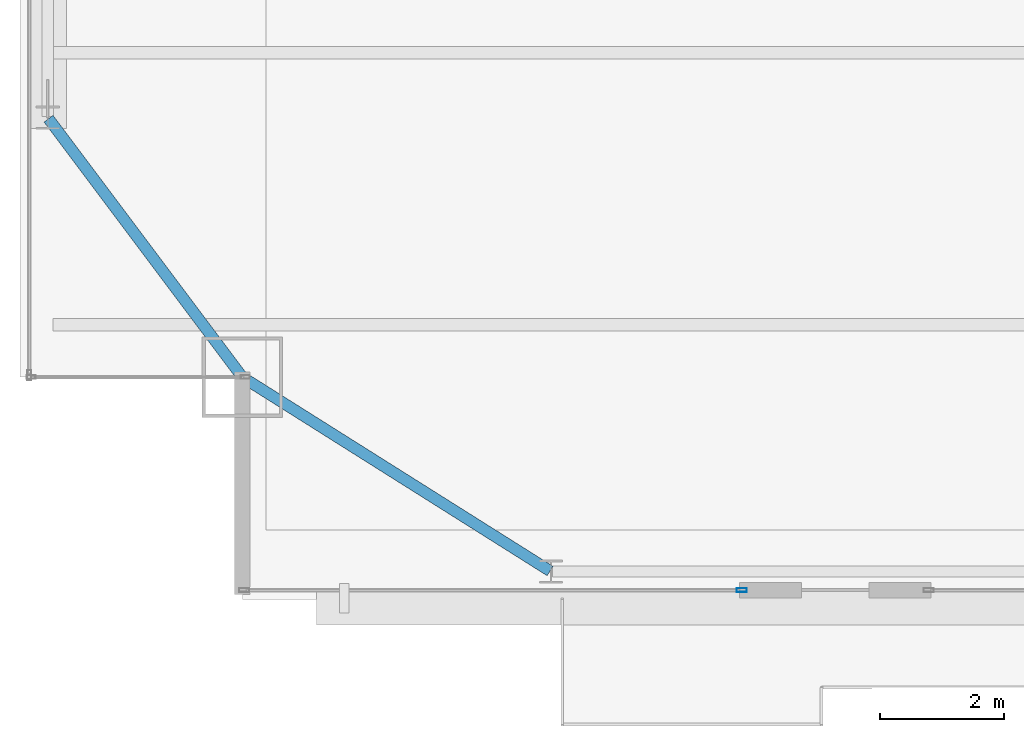
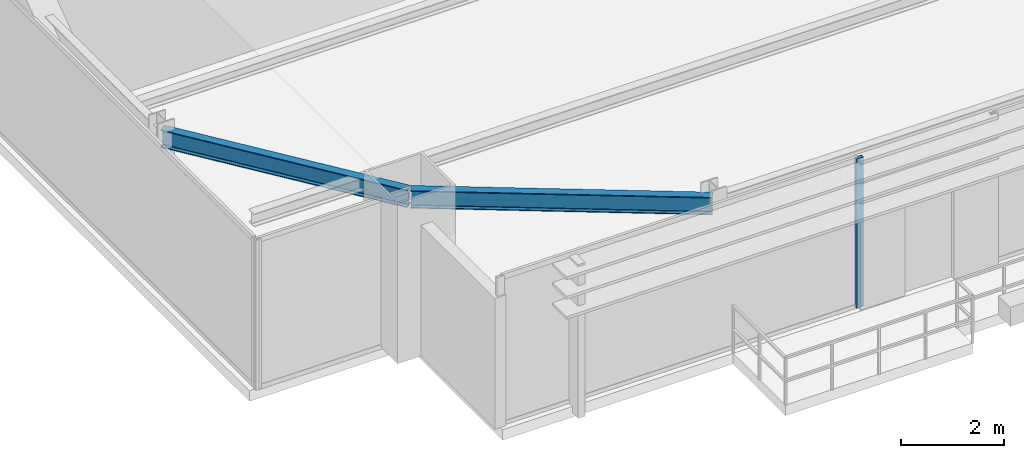
# One storey, part 5 of 34: 2 beams, 1 member, 1 element without a shape of its own.
"""IFC4 building model written with IfcOpenShell, lengths in metres."""

from ifc_helpers import new_model, si_unit, direction, frame, origin, origin_2d, place, context, subcontext, project, spatial, hollow_rectangle, i_section, extrude, source, transform, mapped, material, layer, layer_set, material_profile, profile_set, type_object, type_shapes, element, aggregate, save


model = new_model("IFC4")

# Units and contexts
model_context = context("Model", 3, precision=1e-05, world=origin(), true_north=direction((0.0, 1.0)))
body_context = subcontext(model_context, "Body", "Model", "MODEL_VIEW")
ifc_project = project(units=[si_unit("LENGTHUNIT", "METRE"), si_unit("AREAUNIT", "SQUARE_METRE"), si_unit("VOLUMEUNIT", "CUBIC_METRE"), si_unit("PLANEANGLEUNIT", "RADIAN"), si_unit("MASSUNIT", "GRAM", prefix="KILO")], contexts=[model_context])

# Site, building, storey
site_placement = place(None, origin())
site = spatial("IfcSite", under=ifc_project, at=site_placement, CompositionType="ELEMENT")
building_placement = place(site_placement, origin())
building = spatial("IfcBuilding", under=site, at=building_placement, Name="Varnel Quay Broadcast Tower", CompositionType="ELEMENT")
storey_placement = place(building_placement, frame((0.0, 0.0, 176.199951171875)))
storey = spatial("IfcBuildingStorey", under=building, at=storey_placement, Name="L43", CompositionType="ELEMENT", Elevation=176.199951171875)

# Beams
ifc_material_1 = material(Name="Structural Steel CSA G40.21 350W", Category="steel")
ifc_material_profile_1 = material_profile(ifc_material_1, i_section(OverallWidth=0.180908203125, OverallDepth=0.4169921875, WebThickness=0.010986328125, FlangeThickness=0.018310546875, FilletRadius=0.011962890625, at=origin_2d()), Name="W410X85")
ifc_profile_set_1 = profile_set([ifc_material_profile_1], Name="Structural Steel CSA G40.21 350W")
beam_type = type_object("IfcBeamType", Name="Beam_W410X85", PredefinedType="SPANDREL", material=ifc_profile_set_1)
shared_shape_1 = source(origin(), body_context, "Body", "SweptSolid", [
    extrude(i_section(OverallWidth=0.180908203125, OverallDepth=0.4169921875, WebThickness=0.010986328125, FlangeThickness=0.018310546875, FilletRadius=0.011962890625, at=origin_2d()), origin(), (0.0, 0.0, 1.0), 5.869384765625),
])
beam_1_placement = place(storey_placement, frame((10.616943359375, 10.789306640625, 3.341552734375), z_axis=(0.846088328928, -0.533042718412, 0.0), x_axis=(0.533042718412, 0.846088328928, 0.0)))
element("IfcBeam", 1, at=beam_1_placement, inside=storey, type_object=beam_type, Name="L43 South Spandrel MC-SW-TC-S1", PredefinedType="SPANDREL", context=body_context, shape_type="MappedRepresentation", body=[
    mapped(shared_shape_1, transform((0.0, 0.0, 0.0), x_axis=(1.0, 0.0, 0.0), y_axis=(0.0, 1.0, 0.0), z_axis=(0.0, 0.0, 1.0), scale=1.0)),
])
shared_shape_2 = source(origin(), body_context, "Body", "SweptSolid", [
    extrude(i_section(OverallWidth=0.180908203125, OverallDepth=0.4169921875, WebThickness=0.010986328125, FlangeThickness=0.018310546875, FilletRadius=0.011962890625, at=origin_2d()), origin(), (0.0, 0.0, 1.0), 5.2099609375),
])
type_shapes(beam_type, [shared_shape_1, shared_shape_2])
beam_2_placement = place(storey_placement, frame((10.587890625, 10.81591796875, 3.341552734375), z_axis=(-0.6, 0.8, 0.0), x_axis=(-0.8, -0.6, 0.0)))
element("IfcBeam", 2, at=beam_2_placement, inside=storey, type_object=beam_type, Name="L43 West Spandrel MC-SW-TC-W1", PredefinedType="SPANDREL", context=body_context, shape_type="MappedRepresentation", body=[
    mapped(shared_shape_2, transform((0.0, 0.0, 0.0), x_axis=(1.0, 0.0, 0.0), y_axis=(0.0, 1.0, 0.0), z_axis=(0.0, 0.0, 1.0), scale=1.0)),
])

# Curtain wall, member
ifc_material_2 = material(Name="Anodised Bronze Aluminium 6063-T6", Category="aluminium")
ifc_layer = layer(ifc_material_2, 0.18994140625, Name="Anodised Bronze Aluminium 6063-T6")
ifc_layer_set = layer_set([ifc_layer], Name="Anodised Bronze Aluminium 6063-T6")
curtain_wall_type = type_object("IfcCurtainWallType", Name="CW_UpperTower", PredefinedType="NOTDEFINED", material=ifc_layer_set)
curtain_wall_placement = place(storey_placement, origin())
curtain_wall = element("IfcCurtainWall", 3, at=curtain_wall_placement, inside=storey, type_object=curtain_wall_type, Name="L43 South Unitised Curtain Wall 1", PredefinedType="NOTDEFINED")
ifc_material_profile_2 = material_profile(ifc_material_2, hollow_rectangle(XDim=0.06494140625, YDim=0.1650390625, WallThickness=0.00341796875, at=origin_2d()), Name="ALU65X165X3.5")
ifc_profile_set_2 = profile_set([ifc_material_profile_2], Name="Anodised Bronze Aluminium 6063-T6")
member_type = type_object("IfcMemberType", Name="Mull_CWS-03", PredefinedType="MULLION", material=ifc_profile_set_2)
shared_shape_3 = source(origin(), body_context, "Body", "SweptSolid", [
    extrude(hollow_rectangle(XDim=0.06494140625, YDim=0.1650390625, WallThickness=0.00341796875, at=origin_2d()), origin(), (0.0, 0.0, 1.0), 3.550048828125),
])
type_shapes(member_type, [shared_shape_3])
member_placement = place(storey_placement, frame((18.6875, 7.35009765625, 0.0), z_axis=(0.0, 0.0, 1.0), x_axis=(0.0, 1.0, 0.0)))
member = element("IfcMember", 4, at=member_placement, type_object=member_type, Name="CWS-03 mullion 2", PredefinedType="MULLION", context=body_context, shape_type="MappedRepresentation", body=[
    mapped(shared_shape_3, transform((0.0, 0.0, 0.0), x_axis=(1.0, 0.0, 0.0), y_axis=(0.0, 1.0, 0.0), z_axis=(0.0, 0.0, 1.0), scale=1.0)),
])
aggregate(curtain_wall, [member])

save(model, "model.ifc")
